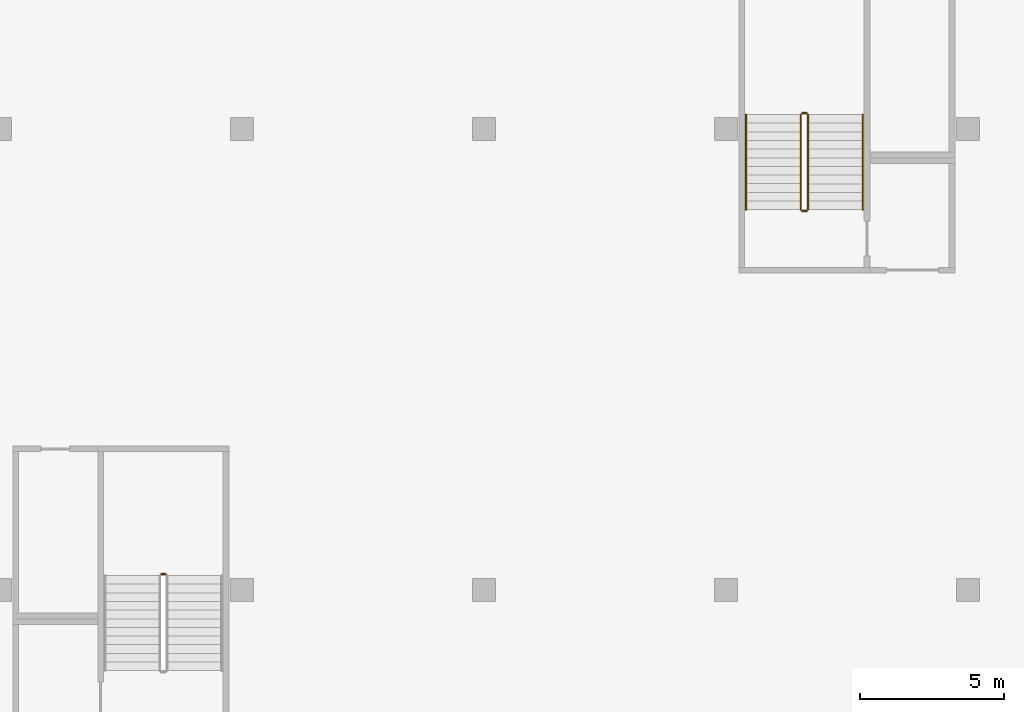
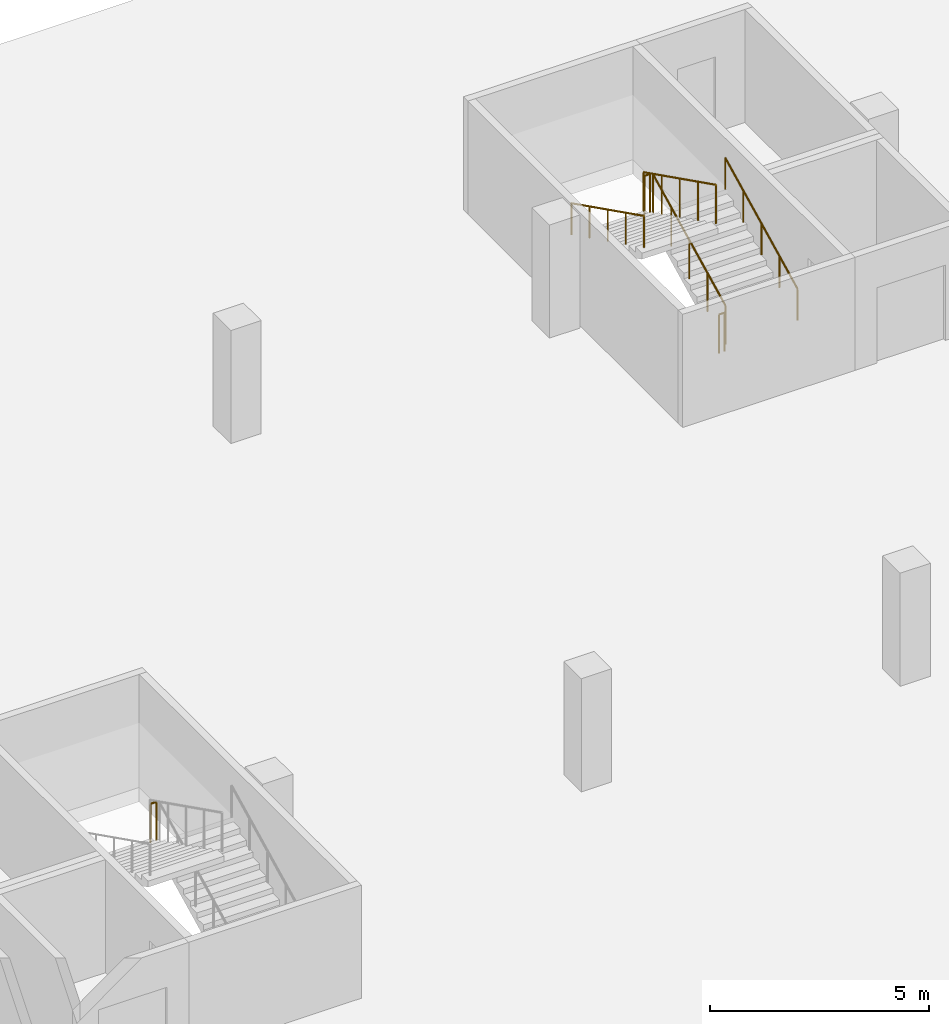
# One storey, part 36 of 37: 7 railings.
"""IFC4 building model written with IfcOpenShell, lengths in metres."""

from ifc_helpers import new_model, si_unit, direction, frame, origin, origin_2d, place, context, subcontext, project, spatial, circle, extrude, material, type_object, element, save


model = new_model("IFC4")

# Units and contexts
model_context = context("Model", 3, precision=1e-05, world=origin(), true_north=direction((0.0, 1.0)))
body_context = subcontext(model_context, "Body", "Model", "MODEL_VIEW")
ifc_project = project(units=[si_unit("LENGTHUNIT", "METRE"), si_unit("AREAUNIT", "SQUARE_METRE"), si_unit("VOLUMEUNIT", "CUBIC_METRE"), si_unit("PLANEANGLEUNIT", "RADIAN"), si_unit("MASSUNIT", "GRAM", prefix="KILO")], contexts=[model_context])

# Site, building, storey
site_placement = place(None, origin())
site = spatial("IfcSite", under=ifc_project, at=site_placement, CompositionType="ELEMENT")
building_placement = place(site_placement, origin())
building = spatial("IfcBuilding", under=site, at=building_placement, Name="Tamra Quay Hotel Tower", CompositionType="ELEMENT")
storey_placement = place(building_placement, frame((0.0, 0.0, -3.60009765625)))
storey = spatial("IfcBuildingStorey", under=building, at=storey_placement, Name="B1", CompositionType="ELEMENT", Elevation=-3.60009765625)

# Railings
ifc_material_1 = material(Name="Basement stair guard 1100")
railing_type_1 = type_object("IfcRailingType", Name="Basement stair guard 1100", PredefinedType="GUARDRAIL", material=ifc_material_1)
railing_1_placement = place(storey_placement, frame((-19.050048828125, 61.199951171875, 0.150146484375)))
element("IfcRailing", 1, at=railing_1_placement, inside=storey, type_object=railing_type_1, Name="BSG", PredefinedType="GUARDRAIL", context=body_context, shape_type="SweptSolid", body=[
    extrude(circle(Radius=0.02392578125, at=origin_2d()), frame((0.0, 0.0, 1.076171875), z_axis=(0.0, 0.894440424912, 0.447187126696), x_axis=(-1.0, 0.0, 0.0)), (0.0, 0.0, 1.0), 3.689453125),
    extrude(circle(Radius=0.02099609375, at=origin_2d()), origin(), (0.0, 0.0, 1.0), 1.052001953125),
    extrude(circle(Radius=0.02099609375, at=origin_2d()), frame((0.0, 0.824951171875, 0.41259765625)), (0.0, 0.0, 1.0), 1.052001953125),
    extrude(circle(Radius=0.02099609375, at=origin_2d()), frame((0.0, 1.64990234375, 0.824951171875)), (0.0, 0.0, 1.0), 1.052001953125),
    extrude(circle(Radius=0.02099609375, at=origin_2d()), frame((0.0, 2.47509765625, 1.2373046875)), (0.0, 0.0, 1.0), 1.052001953125),
    extrude(circle(Radius=0.02099609375, at=origin_2d()), frame((0.0, 3.300048828125, 1.64990234375)), (0.0, 0.0, 1.0), 1.052001953125),
])
railing_2_placement = place(storey_placement, frame((-19.10009765625, 64.550048828125, 1.800048828125)))
element("IfcRailing", 2, at=railing_2_placement, inside=storey, type_object=railing_type_1, Name="BSG", PredefinedType="GUARDRAIL", context=body_context, shape_type="SweptSolid", body=[
    extrude(circle(Radius=0.02392578125, at=origin_2d()), frame((0.0, 0.0, 1.076171875), z_axis=(-1.0, 0.0, 0.0), x_axis=(0.0, -1.0, 0.0)), (0.0, 0.0, 1.0), 0.14990234375),
    extrude(circle(Radius=0.02099609375, at=origin_2d()), origin(), (0.0, 0.0, 1.0), 1.052001953125),
    extrude(circle(Radius=0.02099609375, at=origin_2d()), frame((-0.14990234375, 0.0, 0.0)), (0.0, 0.0, 1.0), 1.052001953125),
])
railing_3_placement = place(storey_placement, frame((-19.300048828125, 64.5, 1.9501953125)))
element("IfcRailing", 3, at=railing_3_placement, inside=storey, type_object=railing_type_1, Name="BSG", PredefinedType="GUARDRAIL", context=body_context, shape_type="SweptSolid", body=[
    extrude(circle(Radius=0.02392578125, at=origin_2d()), frame((0.0, 0.0, 1.076171875), z_axis=(0.0, -0.894440424912, 0.447187126696), x_axis=(1.0, 0.0, 0.0)), (0.0, 0.0, 1.0), 3.689453125),
    extrude(circle(Radius=0.02099609375, at=origin_2d()), origin(), (0.0, 0.0, 1.0), 1.052001953125),
    extrude(circle(Radius=0.02099609375, at=origin_2d()), frame((0.0, -0.824951171875, 0.41259765625)), (0.0, 0.0, 1.0), 1.052001953125),
    extrude(circle(Radius=0.02099609375, at=origin_2d()), frame((0.0, -1.64990234375, 0.824951171875)), (0.0, 0.0, 1.0), 1.052001953125),
    extrude(circle(Radius=0.02099609375, at=origin_2d()), frame((0.0, -2.47509765625, 1.2373046875)), (0.0, 0.0, 1.0), 1.052001953125),
    extrude(circle(Radius=0.02099609375, at=origin_2d()), frame((0.0, -3.300048828125, 1.64990234375)), (0.0, 0.0, 1.0), 1.052001953125),
])
for number, where, name in (
    (4, (-19.10009765625, 61.14990234375, 0.0), "BSG"),
    (5, (-41.35009765625, 48.550048828125, 1.800048828125), "BSG"),
):
    element("IfcRailing", number, at=place(storey_placement, frame(where)), inside=storey, type_object=railing_type_1, Name=name, PredefinedType="GUARDRAIL", context=body_context, shape_type="SweptSolid", body=[
        extrude(circle(Radius=0.02392578125, at=origin_2d()), frame((0.0, 0.0, 1.076171875), z_axis=(-1.0, 0.0, 0.0), x_axis=(0.0, -1.0, 0.0)), (0.0, 0.0, 1.0), 0.14990234375),
        extrude(circle(Radius=0.02099609375, at=origin_2d()), origin(), (0.0, 0.0, 1.0), 1.052001953125),
        extrude(circle(Radius=0.02099609375, at=origin_2d()), frame((-0.14990234375, 0.0, 0.0)), (0.0, 0.0, 1.0), 1.052001953125),
    ])
ifc_material_2 = material(Name="Basement stair handrail 900")
railing_type_2 = type_object("IfcRailingType", Name="Basement stair handrail 900", PredefinedType="HANDRAIL", material=ifc_material_2)
railing_4_placement = place(storey_placement, frame((-17.14990234375, 61.199951171875, 0.150146484375)))
element("IfcRailing", 6, at=railing_4_placement, inside=storey, type_object=railing_type_2, Name="BSH", PredefinedType="HANDRAIL", context=body_context, shape_type="SweptSolid", body=[
    extrude(circle(Radius=0.02392578125, at=origin_2d()), frame((0.0, 0.0, 0.8759765625), z_axis=(0.0, 0.894440424912, 0.447187126696), x_axis=(-1.0, 0.0, 0.0)), (0.0, 0.0, 1.0), 3.689453125),
    extrude(circle(Radius=0.02099609375, at=origin_2d()), origin(), (0.0, 0.0, 1.0), 0.851806640625),
    extrude(circle(Radius=0.02099609375, at=origin_2d()), frame((0.0, 0.824951171875, 0.41259765625)), (0.0, 0.0, 1.0), 0.851806640625),
    extrude(circle(Radius=0.02099609375, at=origin_2d()), frame((0.0, 1.64990234375, 0.824951171875)), (0.0, 0.0, 1.0), 0.851806640625),
    extrude(circle(Radius=0.02099609375, at=origin_2d()), frame((0.0, 2.47509765625, 1.2373046875)), (0.0, 0.0, 1.0), 0.851806640625),
    extrude(circle(Radius=0.02099609375, at=origin_2d()), frame((0.0, 3.300048828125, 1.64990234375)), (0.0, 0.0, 1.0), 0.851806640625),
])
railing_5_placement = place(storey_placement, frame((-21.199951171875, 64.5, 1.9501953125)))
element("IfcRailing", 7, at=railing_5_placement, inside=storey, type_object=railing_type_2, Name="BSH", PredefinedType="HANDRAIL", context=body_context, shape_type="SweptSolid", body=[
    extrude(circle(Radius=0.02392578125, at=origin_2d()), frame((0.0, 0.0, 0.8759765625), z_axis=(0.0, -0.894440424912, 0.447187126696), x_axis=(1.0, 0.0, 0.0)), (0.0, 0.0, 1.0), 3.689453125),
    extrude(circle(Radius=0.02099609375, at=origin_2d()), origin(), (0.0, 0.0, 1.0), 0.851806640625),
    extrude(circle(Radius=0.02099609375, at=origin_2d()), frame((0.0, -0.824951171875, 0.41259765625)), (0.0, 0.0, 1.0), 0.851806640625),
    extrude(circle(Radius=0.02099609375, at=origin_2d()), frame((0.0, -1.64990234375, 0.824951171875)), (0.0, 0.0, 1.0), 0.851806640625),
    extrude(circle(Radius=0.02099609375, at=origin_2d()), frame((0.0, -2.47509765625, 1.2373046875)), (0.0, 0.0, 1.0), 0.851806640625),
    extrude(circle(Radius=0.02099609375, at=origin_2d()), frame((0.0, -3.300048828125, 1.64990234375)), (0.0, 0.0, 1.0), 0.851806640625),
])

save(model, "model.ifc")
